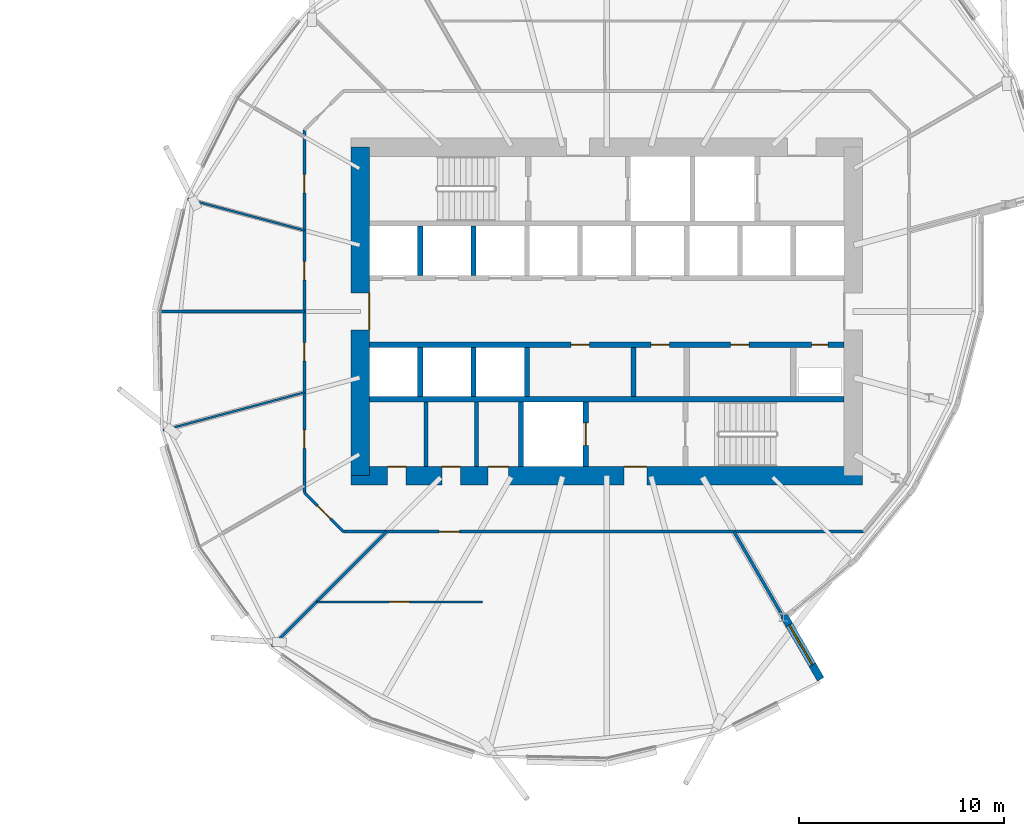
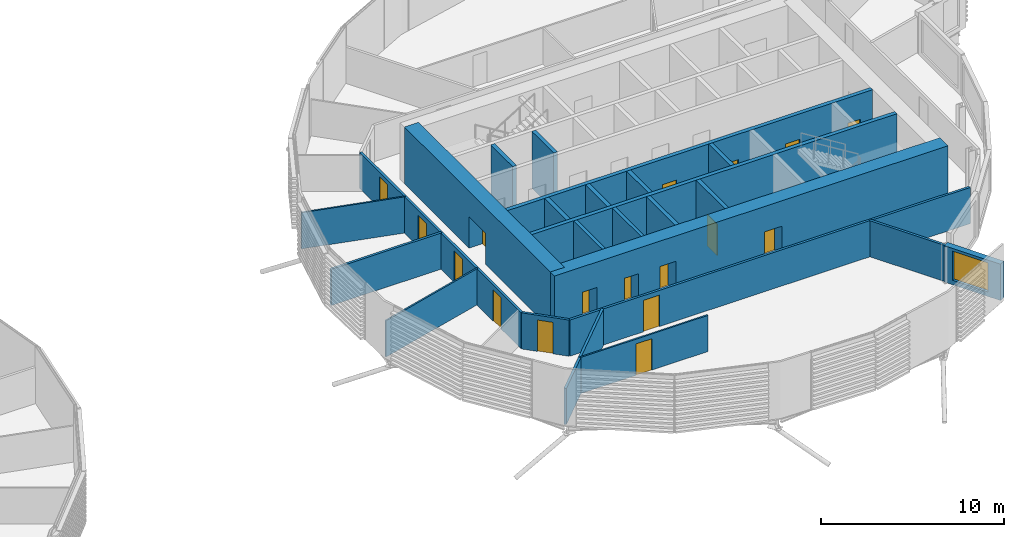
# One storey, part 24 of 37: 24 walls, 17 doors, 1 window, 18 openings.
"""IFC4 building model written with IfcOpenShell, lengths in metres."""

from ifc_helpers import new_model, si_unit, direction, frame, frame_2d, origin, place, context, subcontext, project, spatial, rectangle, extrude, material, layer, layer_set, type_object, element, fill, save


model = new_model("IFC4")

# Units and contexts
model_context = context("Model", 3, precision=1e-05, world=origin(), true_north=direction((0.0, 1.0)))
body_context = subcontext(model_context, "Body", "Model", "MODEL_VIEW")
ifc_project = project(units=[si_unit("LENGTHUNIT", "METRE"), si_unit("AREAUNIT", "SQUARE_METRE"), si_unit("VOLUMEUNIT", "CUBIC_METRE"), si_unit("PLANEANGLEUNIT", "RADIAN"), si_unit("MASSUNIT", "GRAM", prefix="KILO")], contexts=[model_context])

# Site, building, storey
site_placement = place(None, origin())
site = spatial("IfcSite", under=ifc_project, at=site_placement, CompositionType="ELEMENT")
building_placement = place(site_placement, origin())
building = spatial("IfcBuilding", under=site, at=building_placement, Name="Rimbun Link Towers", CompositionType="ELEMENT")
storey_placement = place(building_placement, frame((0.0, 0.0, 60.39990234375)))
storey = spatial("IfcBuildingStorey", under=building, at=storey_placement, Name="L14", CompositionType="ELEMENT", Elevation=60.39990234375)

# Wall, opening, window
ifc_material_1 = material(Name="Dark enamelled glass spandrel on insulated aluminium backpan", Category="aluminium")
ifc_layer_1 = layer(ifc_material_1, 0.3701171875)
ifc_layer_set_1 = layer_set([ifc_layer_1], Name="CS dark enamelled spandrel wall 370")
wall_type_1 = type_object("IfcWallType", Name="CS dark enamelled spandrel wall 370", PredefinedType="STANDARD", material=ifc_layer_set_1)
wall_1_placement = place(storey_placement, frame((40.37646484375, -14.8115234375, 0.0), z_axis=(0.0, 0.0, 1.0), x_axis=(0.500011709085, -0.866018643436, 0.0)))
wall_1 = element("IfcWall", 1, at=wall_1_placement, inside=storey, type_object=wall_type_1, Name="Crease spandrel wall", PredefinedType="STANDARD", context=body_context, shape_type="SweptSolid", body=[
    extrude(rectangle(XDim=3.580078125, YDim=0.3701171875, at=frame_2d((1.7900390625, 0.0))), origin(), (0.0, 0.0, 1.0), 2.43017578125),
])
opening_1_placement = place(wall_1_placement, frame((0.52685546875, 0.0, 0.300048828125)))
opening_1 = element("IfcOpeningElement", 2, at=opening_1_placement, cuts=wall_1, Name="Opening WR22H195", PredefinedType="OPENING", context=body_context, shape_type="SweptSolid", body=[
    extrude(rectangle(XDim=2.25, YDim=1.949951171875, at=frame_2d((1.125, 0.97509765625))), frame((0.0, 0.195068359375, 0.0), z_axis=(0.0, -1.0, 0.0), x_axis=(1.0, 0.0, 0.0)), (0.0, 0.0, 1.0), 0.39013671875),
])
ifc_material_2 = material(Name="Aluminium framed fixed window, dark tinted low-e glass", Category="aluminium")
window_type = type_object("IfcWindowType", Name="WR ribbon window 2250X1950", PartitioningType="SINGLE_PANEL", PredefinedType="WINDOW", material=ifc_material_2)
window_placement = place(opening_1_placement, origin())
window = element("IfcWindow", 3, at=window_placement, inside=storey, type_object=window_type, Name="Crease ribbon window", OverallHeight=1.949951171875, OverallWidth=2.25, PartitioningType="SINGLE_PANEL", PredefinedType="WINDOW", context=body_context, shape_type="SweptSolid", body=[
    extrude(rectangle(XDim=2.25, YDim=1.949951171875, at=frame_2d((1.125, 0.97509765625))), frame((0.0, 0.030029296875, 0.0), z_axis=(0.0, -1.0, 0.0), x_axis=(1.0, 0.0, 0.0)), (0.0, 0.0, 1.0), 0.06005859375),
])
fill(opening_1, window)

# Walls
ifc_material_3 = material(Name="Masonry blockwork", Category="masonry")
ifc_layer_2 = layer(ifc_material_3, 0.199951171875)
ifc_layer_set_2 = layer_set([ifc_layer_2], Name="Core partition 200")
wall_type_2 = type_object("IfcWallType", Name="Core partition 200", PredefinedType="PARTITIONING", material=ifc_layer_set_2)
for number, where, z_axis, x_axis, name in (
    (4, (22.949951171875, -4.39990234375, 0.0), (0.0, 0.0, 1.0), (0.0, -1.0, 0.0), "L14 T2 core wall C1"),
    (5, (25.39990234375, -4.39990234375, 0.0), (0.0, 0.0, 1.0), (0.0, -1.0, 0.0), "L14 T2 core wall C2"),
):
    element("IfcWall", number, at=place(storey_placement, frame(where, z_axis=z_axis, x_axis=x_axis)), inside=storey, type_object=wall_type_2, Name=name, PredefinedType="PARTITIONING", context=body_context, shape_type="SweptSolid", body=[
        extrude(rectangle(XDim=3.150146484375, YDim=0.199951171875, at=frame_2d((1.5751953125, 0.0))), origin(), (0.0, 0.0, 1.0), 3.800048828125),
    ])

# Wall, openings, doors
ifc_material_4 = material(Name="Concrete C60/75", Category="concrete")
ifc_layer_3 = layer(ifc_material_4, 0.89990234375)
ifc_layer_set_3 = layer_set([ifc_layer_3], Name="Core shear wall 900")
wall_type_3 = type_object("IfcWallType", Name="Core shear wall 900", PredefinedType="SHEAR", material=ifc_layer_set_3)
wall_2_placement = place(storey_placement, frame((19.300048828125, -8.0, 0.0), z_axis=(0.0, 0.0, 1.0), x_axis=(1.0, 0.0, 0.0)))
wall_2 = element("IfcWall", 6, at=wall_2_placement, inside=storey, type_object=wall_type_3, Name="L14 T2 core wall S", PredefinedType="SHEAR", context=body_context, shape_type="SweptSolid", body=[
    extrude(rectangle(XDim=24.89990234375, YDim=0.89990234375, at=frame_2d((12.449951171875, 0.0))), origin(), (0.0, 0.0, 1.0), 3.800048828125),
])
opening_2_placement = place(wall_2_placement, frame((13.300048828125, 0.0, 0.0)))
opening_2 = element("IfcOpeningElement", 7, at=opening_2_placement, cuts=wall_2, Name="Opening C2DCF01S", PredefinedType="OPENING", context=body_context, shape_type="SweptSolid", body=[
    extrude(rectangle(XDim=1.10009765625, YDim=2.10009765625, at=frame_2d((0.550048828125, 1.050048828125))), frame((0.0, 0.4599609375, 0.0), z_axis=(0.0, -1.0, 0.0), x_axis=(1.0, 0.0, 0.0)), (0.0, 0.0, 1.0), 0.919921875),
])
opening_3_placement = place(wall_2_placement, frame((1.77490234375, 0.0, 0.0)))
opening_3 = element("IfcOpeningElement", 8, at=opening_3_placement, cuts=wall_2, Name="Opening C2DWC02S", PredefinedType="OPENING", context=body_context, shape_type="SweptSolid", body=[
    extrude(rectangle(XDim=0.89990234375, YDim=2.10009765625, at=frame_2d((0.449951171875, 1.050048828125))), frame((0.0, 0.4599609375, 0.0), z_axis=(0.0, -1.0, 0.0), x_axis=(1.0, 0.0, 0.0)), (0.0, 0.0, 1.0), 0.919921875),
])
opening_4_placement = place(wall_2_placement, frame((4.425048828125, 0.0, 0.0)))
opening_4 = element("IfcOpeningElement", 9, at=opening_4_placement, cuts=wall_2, Name="Opening C2DWC03S", PredefinedType="OPENING", context=body_context, shape_type="SweptSolid", body=[
    extrude(rectangle(XDim=0.89990234375, YDim=2.10009765625, at=frame_2d((0.449951171875, 1.050048828125))), frame((0.0, 0.4599609375, 0.0), z_axis=(0.0, -1.0, 0.0), x_axis=(1.0, 0.0, 0.0)), (0.0, 0.0, 1.0), 0.919921875),
])
opening_5_placement = place(wall_2_placement, frame((6.675048828125, 0.0, 0.0)))
opening_5 = element("IfcOpeningElement", 10, at=opening_5_placement, cuts=wall_2, Name="Opening C2DAW04S", PredefinedType="OPENING", context=body_context, shape_type="SweptSolid", body=[
    extrude(rectangle(XDim=1.0, YDim=2.10009765625, at=frame_2d((0.5, 1.050048828125))), frame((0.0, 0.4599609375, 0.0), z_axis=(0.0, -1.0, 0.0), x_axis=(1.0, 0.0, 0.0)), (0.0, 0.0, 1.0), 0.919921875),
])
ifc_material_5 = material(Name="Timber", Category="wood")
door_type_1 = type_object("IfcDoorType", Name="Accessible WC door", OperationType="SINGLE_SWING_LEFT", PredefinedType="DOOR", material=ifc_material_5)
door_1_placement = place(opening_5_placement, origin())
door_1 = element("IfcDoor", 11, at=door_1_placement, inside=storey, type_object=door_type_1, Name="L14 T2 accessible wc door", OperationType="SINGLE_SWING_RIGHT", OverallHeight=2.10009765625, OverallWidth=1.0, PredefinedType="DOOR", context=body_context, shape_type="SweptSolid", body=[
    extrude(rectangle(XDim=1.0, YDim=2.10009765625, at=frame_2d((0.5, 1.050048828125))), frame((0.0, 0.4501953125, 0.0), z_axis=(0.0, -1.0, 0.0), x_axis=(1.0, 0.0, 0.0)), (0.0, 0.0, 1.0), 0.050048828125),
])
fill(opening_5, door_1)
ifc_material_6 = material(Name="Steel fire door set", Category="steel")
door_type_2 = type_object("IfcDoorType", Name="Core fire door single", OperationType="SINGLE_SWING_LEFT", PredefinedType="DOOR", material=ifc_material_6)
door_2_placement = place(opening_2_placement, origin())
door_2 = element("IfcDoor", 12, at=door_2_placement, inside=storey, type_object=door_type_2, Name="L14 T2 firefighting lobby s door", OperationType="SINGLE_SWING_RIGHT", OverallHeight=2.10009765625, OverallWidth=1.10009765625, PredefinedType="DOOR", context=body_context, shape_type="SweptSolid", body=[
    extrude(rectangle(XDim=1.10009765625, YDim=2.10009765625, at=frame_2d((0.550048828125, 1.050048828125))), frame((0.0, 0.4501953125, 0.0), z_axis=(0.0, -1.0, 0.0), x_axis=(1.0, 0.0, 0.0)), (0.0, 0.0, 1.0), 0.050048828125),
])
fill(opening_2, door_2)
ifc_material_7 = material(Name="Timber", Category="wood")
door_type_3 = type_object("IfcDoorType", Name="WC door", OperationType="SINGLE_SWING_LEFT", PredefinedType="DOOR", material=ifc_material_7)
door_3_placement = place(opening_3_placement, origin())
door_3 = element("IfcDoor", 13, at=door_3_placement, inside=storey, type_object=door_type_3, Name="L14 T2 male wc door", OperationType="SINGLE_SWING_RIGHT", OverallHeight=2.10009765625, OverallWidth=0.89990234375, PredefinedType="DOOR", context=body_context, shape_type="SweptSolid", body=[
    extrude(rectangle(XDim=0.89990234375, YDim=2.10009765625, at=frame_2d((0.449951171875, 1.050048828125))), frame((0.0, 0.4501953125, 0.0), z_axis=(0.0, -1.0, 0.0), x_axis=(1.0, 0.0, 0.0)), (0.0, 0.0, 1.0), 0.050048828125),
])
fill(opening_3, door_3)
door_4_placement = place(opening_4_placement, origin())
door_4 = element("IfcDoor", 14, at=door_4_placement, inside=storey, type_object=door_type_3, Name="L14 T2 female wc door", OperationType="SINGLE_SWING_RIGHT", OverallHeight=2.10009765625, OverallWidth=0.89990234375, PredefinedType="DOOR", context=body_context, shape_type="SweptSolid", body=[
    extrude(rectangle(XDim=0.89990234375, YDim=2.10009765625, at=frame_2d((0.449951171875, 1.050048828125))), frame((0.0, 0.4501953125, 0.0), z_axis=(0.0, -1.0, 0.0), x_axis=(1.0, 0.0, 0.0)), (0.0, 0.0, 1.0), 0.050048828125),
])
fill(opening_4, door_4)

# Wall, opening, door
wall_3_placement = place(storey_placement, frame((19.75, -8.0, 0.0), z_axis=(0.0, 0.0, 1.0), x_axis=(0.0, 1.0, 0.0)))
wall_3 = element("IfcWall", 15, at=wall_3_placement, inside=storey, type_object=wall_type_3, Name="L14 T2 core wall W", PredefinedType="SHEAR", context=body_context, shape_type="SweptSolid", body=[
    extrude(rectangle(XDim=16.0, YDim=0.89990234375, at=frame_2d((8.0, 0.0))), origin(), (0.0, 0.0, 1.0), 3.800048828125),
])
opening_6_placement = place(wall_3_placement, frame((7.10009765625, 0.0, 0.0)))
opening_6 = element("IfcOpeningElement", 16, at=opening_6_placement, cuts=wall_3, Name="Opening C2DCL01W", PredefinedType="OPENING", context=body_context, shape_type="SweptSolid", body=[
    extrude(rectangle(XDim=1.800048828125, YDim=2.10009765625, at=frame_2d((0.89990234375, 1.050048828125))), frame((0.0, 0.4599609375, 0.0), z_axis=(0.0, -1.0, 0.0), x_axis=(1.0, 0.0, 0.0)), (0.0, 0.0, 1.0), 0.919921875),
])
ifc_material_8 = material(Name="Steel fire door set", Category="steel")
door_type_4 = type_object("IfcDoorType", Name="Core lobby door double", OperationType="DOUBLE_DOOR_SINGLE_SWING", PredefinedType="DOOR", material=ifc_material_8)
door_5_placement = place(opening_6_placement, origin())
door_5 = element("IfcDoor", 17, at=door_5_placement, inside=storey, type_object=door_type_4, Name="L14 T2 lift lobby door", OperationType="DOUBLE_DOOR_SINGLE_SWING", OverallHeight=2.10009765625, OverallWidth=1.800048828125, PredefinedType="DOOR", context=body_context, shape_type="SweptSolid", body=[
    extrude(rectangle(XDim=1.800048828125, YDim=2.10009765625, at=frame_2d((0.89990234375, 1.050048828125))), frame((0.0, -0.39990234375, 0.0), z_axis=(0.0, -1.0, 0.0), x_axis=(1.0, 0.0, 0.0)), (0.0, 0.0, 1.0), 0.050048828125),
])
fill(opening_6, door_5)

ifc_material_9 = material(Name="Plasterboard on steel stud, mineral wool", Category="steel")
ifc_layer_4 = layer(ifc_material_9, 0.14990234375)
ifc_layer_set_4 = layer_set([ifc_layer_4], Name="Corridor wall EI 30 150 mm")
wall_type_4 = type_object("IfcWallType", Name="Corridor wall EI 30 150 mm", PredefinedType="PARTITIONING", material=ifc_layer_set_4)
wall_4_placement = place(storey_placement, frame((44.248779296875, -10.72509765625, 0.0), z_axis=(0.0, 0.0, 1.0), x_axis=(-1.0, 0.0, 0.0)))
wall_4 = element("IfcWall", 18, at=wall_4_placement, inside=storey, type_object=wall_type_4, Name="Corridor wall EI 30 150 mm", PredefinedType="PARTITIONING", context=body_context, shape_type="SweptSolid", body=[
    extrude(rectangle(XDim=25.325439453125, YDim=0.14990234375, at=frame_2d((12.66259765625, 0.0))), origin(), (0.0, 0.0, 1.0), 2.420166015625),
])
opening_7_placement = place(wall_4_placement, frame((19.66845703125, 0.0, 0.0)))
opening_7 = element("IfcOpeningElement", 19, at=opening_7_placement, cuts=wall_4, Name="Opening D01", PredefinedType="OPENING", context=body_context, shape_type="SweptSolid", body=[
    extrude(rectangle(XDim=1.0, YDim=2.10009765625, at=frame_2d((0.5, 1.050048828125))), frame((0.0, 0.0849609375, 0.0), z_axis=(0.0, -1.0, 0.0), x_axis=(1.0, 0.0, 0.0)), (0.0, 0.0, 1.0), 0.169921875),
])
ifc_material_10 = material(Name="Fire-resisting timber door leaf", Category="wood")
door_type_5 = type_object("IfcDoorType", Name="Fire door FD30S 1000", OperationType="NOTDEFINED", PredefinedType="DOOR", material=ifc_material_10)
door_6_placement = place(opening_7_placement, origin())
door_6 = element("IfcDoor", 20, at=door_6_placement, inside=storey, type_object=door_type_5, Name="Fire door FD30S 1000 to Reception", OperationType="SINGLE_SWING_RIGHT", OverallHeight=2.10009765625, OverallWidth=1.0, PredefinedType="DOOR", context=body_context, shape_type="SweptSolid", body=[
    extrude(rectangle(XDim=1.0, YDim=2.10009765625, at=frame_2d((0.5, 1.050048828125))), frame((0.0, 0.02490234375, 0.0), z_axis=(0.0, -1.0, 0.0), x_axis=(1.0, 0.0, 0.0)), (0.0, 0.0, 1.0), 0.050048828125),
])
fill(opening_7, door_6)

wall_5_placement = place(storey_placement, frame((18.92333984375, -10.72509765625, 0.0), z_axis=(0.0, 0.0, 1.0), x_axis=(-0.707106781187, 0.707106781187, 0.0)))
wall_5 = element("IfcWall", 21, at=wall_5_placement, inside=storey, type_object=wall_type_4, Name="Corridor wall EI 30 150 mm", PredefinedType="PARTITIONING", context=body_context, shape_type="SweptSolid", body=[
    extrude(rectangle(XDim=2.684814453125, YDim=0.14990234375, at=frame_2d((1.34228515625, 0.0))), origin(), (0.0, 0.0, 1.0), 2.420166015625),
])
opening_8_placement = place(wall_5_placement, frame((0.892333984375, 0.0, 0.0)))
opening_8 = element("IfcOpeningElement", 22, at=opening_8_placement, cuts=wall_5, Name="Opening D02", PredefinedType="OPENING", context=body_context, shape_type="SweptSolid", body=[
    extrude(rectangle(XDim=0.89990234375, YDim=2.10009765625, at=frame_2d((0.449951171875, 1.050048828125))), frame((0.0, 0.0849609375, 0.0), z_axis=(0.0, -1.0, 0.0), x_axis=(1.0, 0.0, 0.0)), (0.0, 0.0, 1.0), 0.169921875),
])
ifc_material_11 = material(Name="Fire-resisting timber door leaf", Category="wood")
door_type_6 = type_object("IfcDoorType", Name="Fire door FD30S 900", OperationType="NOTDEFINED", PredefinedType="DOOR", material=ifc_material_11)
door_7_placement = place(opening_8_placement, origin())
door_7 = element("IfcDoor", 23, at=door_7_placement, inside=storey, type_object=door_type_6, Name="Fire door FD30S 900 to Meeting room", OperationType="SINGLE_SWING_LEFT", OverallHeight=2.10009765625, OverallWidth=0.89990234375, PredefinedType="DOOR", context=body_context, shape_type="SweptSolid", body=[
    extrude(rectangle(XDim=0.89990234375, YDim=2.10009765625, at=frame_2d((0.449951171875, 1.050048828125))), frame((0.0, 0.02490234375, 0.0), z_axis=(0.0, -1.0, 0.0), x_axis=(1.0, 0.0, 0.0)), (0.0, 0.0, 1.0), 0.050048828125),
])
fill(opening_8, door_7)

# Wall, openings, doors
wall_6_placement = place(storey_placement, frame((17.02490234375, -8.82666015625, 0.0), z_axis=(0.0, 0.0, 1.0), x_axis=(0.0, 1.0, 0.0)))
wall_6 = element("IfcWall", 24, at=wall_6_placement, inside=storey, type_object=wall_type_4, Name="Corridor wall EI 30 150 mm", PredefinedType="PARTITIONING", context=body_context, shape_type="SweptSolid", body=[
    extrude(rectangle(XDim=17.6533203125, YDim=0.14990234375, at=frame_2d((8.82666015625, 0.0))), origin(), (0.0, 0.0, 1.0), 2.420166015625),
])
opening_9_placement = place(wall_6_placement, frame((14.60009765625, 0.0, 0.0)))
opening_9 = element("IfcOpeningElement", 25, at=opening_9_placement, cuts=wall_6, Name="Opening D02", PredefinedType="OPENING", context=body_context, shape_type="SweptSolid", body=[
    extrude(rectangle(XDim=0.89990234375, YDim=2.10009765625, at=frame_2d((0.449951171875, 1.050048828125))), frame((0.0, 0.0849609375, 0.0), z_axis=(0.0, -1.0, 0.0), x_axis=(1.0, 0.0, 0.0)), (0.0, 0.0, 1.0), 0.169921875),
])
opening_10_placement = place(wall_6_placement, frame((10.349609375, 0.0, 0.0)))
opening_10 = element("IfcOpeningElement", 26, at=opening_10_placement, cuts=wall_6, Name="Opening D02", PredefinedType="OPENING", context=body_context, shape_type="SweptSolid", body=[
    extrude(rectangle(XDim=0.89990234375, YDim=2.10009765625, at=frame_2d((0.449951171875, 1.050048828125))), frame((0.0, 0.0849609375, 0.0), z_axis=(0.0, -1.0, 0.0), x_axis=(1.0, 0.0, 0.0)), (0.0, 0.0, 1.0), 0.169921875),
])
opening_11_placement = place(wall_6_placement, frame((6.40380859375, 0.0, 0.0)))
opening_11 = element("IfcOpeningElement", 27, at=opening_11_placement, cuts=wall_6, Name="Opening D02", PredefinedType="OPENING", context=body_context, shape_type="SweptSolid", body=[
    extrude(rectangle(XDim=0.89990234375, YDim=2.10009765625, at=frame_2d((0.449951171875, 1.050048828125))), frame((0.0, 0.0849609375, 0.0), z_axis=(0.0, -1.0, 0.0), x_axis=(1.0, 0.0, 0.0)), (0.0, 0.0, 1.0), 0.169921875),
])
opening_12_placement = place(wall_6_placement, frame((2.1533203125, 0.0, 0.0)))
opening_12 = element("IfcOpeningElement", 28, at=opening_12_placement, cuts=wall_6, Name="Opening D02", PredefinedType="OPENING", context=body_context, shape_type="SweptSolid", body=[
    extrude(rectangle(XDim=0.89990234375, YDim=2.10009765625, at=frame_2d((0.449951171875, 1.050048828125))), frame((0.0, 0.0849609375, 0.0), z_axis=(0.0, -1.0, 0.0), x_axis=(1.0, 0.0, 0.0)), (0.0, 0.0, 1.0), 0.169921875),
])
door_8_placement = place(opening_9_placement, origin())
door_8 = element("IfcDoor", 29, at=door_8_placement, inside=storey, type_object=door_type_6, Name="Fire door FD30S 900 to Cellular office", OperationType="SINGLE_SWING_LEFT", OverallHeight=2.10009765625, OverallWidth=0.89990234375, PredefinedType="DOOR", context=body_context, shape_type="SweptSolid", body=[
    extrude(rectangle(XDim=0.89990234375, YDim=2.10009765625, at=frame_2d((0.449951171875, 1.050048828125))), frame((0.0, 0.02490234375, 0.0), z_axis=(0.0, -1.0, 0.0), x_axis=(1.0, 0.0, 0.0)), (0.0, 0.0, 1.0), 0.050048828125),
])
fill(opening_9, door_8)
door_9_placement = place(opening_10_placement, origin())
door_9 = element("IfcDoor", 30, at=door_9_placement, inside=storey, type_object=door_type_6, Name="Fire door FD30S 900 to Meeting room", OperationType="SINGLE_SWING_RIGHT", OverallHeight=2.10009765625, OverallWidth=0.89990234375, PredefinedType="DOOR", context=body_context, shape_type="SweptSolid", body=[
    extrude(rectangle(XDim=0.89990234375, YDim=2.10009765625, at=frame_2d((0.449951171875, 1.050048828125))), frame((0.0, 0.02490234375, 0.0), z_axis=(0.0, -1.0, 0.0), x_axis=(1.0, 0.0, 0.0)), (0.0, 0.0, 1.0), 0.050048828125),
])
fill(opening_10, door_9)
door_10_placement = place(opening_11_placement, origin())
door_10 = element("IfcDoor", 31, at=door_10_placement, inside=storey, type_object=door_type_6, Name="Fire door FD30S 900 to Cellular office", OperationType="SINGLE_SWING_LEFT", OverallHeight=2.10009765625, OverallWidth=0.89990234375, PredefinedType="DOOR", context=body_context, shape_type="SweptSolid", body=[
    extrude(rectangle(XDim=0.89990234375, YDim=2.10009765625, at=frame_2d((0.449951171875, 1.050048828125))), frame((0.0, 0.02490234375, 0.0), z_axis=(0.0, -1.0, 0.0), x_axis=(1.0, 0.0, 0.0)), (0.0, 0.0, 1.0), 0.050048828125),
])
fill(opening_11, door_10)
door_11_placement = place(opening_12_placement, origin())
door_11 = element("IfcDoor", 32, at=door_11_placement, inside=storey, type_object=door_type_6, Name="Fire door FD30S 900 to Meeting room", OperationType="SINGLE_SWING_RIGHT", OverallHeight=2.10009765625, OverallWidth=0.89990234375, PredefinedType="DOOR", context=body_context, shape_type="SweptSolid", body=[
    extrude(rectangle(XDim=0.89990234375, YDim=2.10009765625, at=frame_2d((0.449951171875, 1.050048828125))), frame((0.0, 0.02490234375, 0.0), z_axis=(0.0, -1.0, 0.0), x_axis=(1.0, 0.0, 0.0)), (0.0, 0.0, 1.0), 0.050048828125),
])
fill(opening_12, door_11)

# Walls
ifc_material_12 = material(Name="Plasterboard on steel stud", Category="steel")
ifc_layer_5 = layer(ifc_material_12, 0.10009765625)
ifc_layer_set_5 = layer_set([ifc_layer_5], Name="Plasterboard partition 100 mm")
wall_type_5 = type_object("IfcWallType", Name="Plasterboard partition 100 mm", PredefinedType="PARTITIONING", material=ifc_layer_set_5)
wall_7_placement = place(storey_placement, frame((11.328369140625, 5.471923828125, 0.0), z_axis=(0.0, 0.0, 1.0), x_axis=(0.965926431796, -0.258816785308, 0.0)))
element("IfcWall", 33, at=wall_7_placement, inside=storey, type_object=wall_type_5, Name="Plasterboard partition 100 mm", PredefinedType="PARTITIONING", context=body_context, shape_type="SweptSolid", body=[
    extrude(rectangle(XDim=5.8974609375, YDim=0.10009765625, at=frame_2d((2.94873046875, 0.0))), origin(), (0.0, 0.0, 1.0), 2.420166015625),
])
wall_8_placement = place(storey_placement, frame((10.1416015625, -5.789794921875, 0.0), z_axis=(0.0, 0.0, 1.0), x_axis=(0.965930618531, 0.258801159551, 0.0)))
element("IfcWall", 34, at=wall_8_placement, inside=storey, type_object=wall_type_5, Name="Plasterboard partition 100 mm", PredefinedType="PARTITIONING", context=body_context, shape_type="SweptSolid", body=[
    extrude(rectangle(XDim=7.1259765625, YDim=0.10009765625, at=frame_2d((3.56298828125, 0.0))), origin(), (0.0, 0.0, 1.0), 2.420166015625),
])

# Wall, opening, door
wall_9_placement = place(storey_placement, frame((25.697021484375, -14.14501953125, 0.0), z_axis=(0.0, 0.0, 1.0), x_axis=(-1.0, 0.0, 0.0)))
wall_9 = element("IfcWall", 35, at=wall_9_placement, inside=storey, type_object=wall_type_5, Name="Plasterboard partition 100 mm", PredefinedType="PARTITIONING", context=body_context, shape_type="SweptSolid", body=[
    extrude(rectangle(XDim=8.092041015625, YDim=0.10009765625, at=frame_2d((4.0458984375, 0.0))), origin(), (0.0, 0.0, 1.0), 2.420166015625),
])
opening_13_placement = place(wall_9_placement, frame((3.5458984375, 0.0, 0.0)))
opening_13 = element("IfcOpeningElement", 36, at=opening_13_placement, cuts=wall_9, Name="Opening D03", PredefinedType="OPENING", context=body_context, shape_type="SweptSolid", body=[
    extrude(rectangle(XDim=1.0, YDim=2.10009765625, at=frame_2d((0.5, 1.050048828125))), frame((0.0, 0.06005859375, 0.0), z_axis=(0.0, -1.0, 0.0), x_axis=(1.0, 0.0, 0.0)), (0.0, 0.0, 1.0), 0.1201171875),
])
ifc_material_13 = material(Name="Timber door leaf", Category="wood")
door_type_7 = type_object("IfcDoorType", Name="Flush door 1000", OperationType="NOTDEFINED", PredefinedType="DOOR", material=ifc_material_13)
door_12_placement = place(opening_13_placement, origin())
door_12 = element("IfcDoor", 37, at=door_12_placement, inside=storey, type_object=door_type_7, Name="Flush door 1000 to Open office", OperationType="SINGLE_SWING_RIGHT", OverallHeight=2.10009765625, OverallWidth=1.0, PredefinedType="DOOR", context=body_context, shape_type="SweptSolid", body=[
    extrude(rectangle(XDim=1.0, YDim=2.10009765625, at=frame_2d((0.5, 1.050048828125))), frame((0.0, 0.02490234375, 0.0), z_axis=(0.0, -1.0, 0.0), x_axis=(1.0, 0.0, 0.0)), (0.0, 0.0, 1.0), 0.050048828125),
])
fill(opening_13, door_12)

# Wall
ifc_material_14 = material(Name="Concrete C60/75", Category="concrete")
ifc_layer_6 = layer(ifc_material_14, 0.25)
ifc_layer_set_6 = layer_set([ifc_layer_6], Name="Shaft wall 250")
wall_type_6 = type_object("IfcWallType", Name="Shaft wall 250", PredefinedType="SHEAR", material=ifc_layer_set_6)
wall_10_placement = place(storey_placement, frame((20.199951171875, -4.27490234375, 0.0), z_axis=(0.0, 0.0, 1.0), x_axis=(1.0, 0.0, 0.0)))
element("IfcWall", 38, at=wall_10_placement, inside=storey, type_object=wall_type_6, Name="L14 T2 core wall BS", PredefinedType="SHEAR", context=body_context, shape_type="SweptSolid", body=[
    extrude(rectangle(XDim=23.10009765625, YDim=0.25, at=frame_2d((11.550048828125, 0.0))), origin(), (0.0, 0.0, 1.0), 3.800048828125),
])

# Wall, openings, doors
wall_11_placement = place(storey_placement, frame((20.199951171875, -1.625, 0.0), z_axis=(0.0, 0.0, 1.0), x_axis=(1.0, 0.0, 0.0)))
wall_11 = element("IfcWall", 39, at=wall_11_placement, inside=storey, type_object=wall_type_6, Name="L14 T2 core wall FS", PredefinedType="SHEAR", context=body_context, shape_type="SweptSolid", body=[
    extrude(rectangle(XDim=23.10009765625, YDim=0.25, at=frame_2d((11.550048828125, 0.0))), origin(), (0.0, 0.0, 1.0), 3.800048828125),
])
opening_14_placement = place(wall_11_placement, frame((9.802734375, 0.0, 0.0)))
opening_14 = element("IfcOpeningElement", 40, at=opening_14_placement, cuts=wall_11, Name="Opening C2DRS01FS", PredefinedType="OPENING", context=body_context, shape_type="SweptSolid", body=[
    extrude(rectangle(XDim=0.89990234375, YDim=2.10009765625, at=frame_2d((0.449951171875, 1.050048828125))), frame((0.0, 0.135009765625, 0.0), z_axis=(0.0, -1.0, 0.0), x_axis=(1.0, 0.0, 0.0)), (0.0, 0.0, 1.0), 0.27001953125),
])
opening_15_placement = place(wall_11_placement, frame((13.6943359375, 0.0, 0.0)))
opening_15 = element("IfcOpeningElement", 41, at=opening_15_placement, cuts=wall_11, Name="Opening C2DRS02FS", PredefinedType="OPENING", context=body_context, shape_type="SweptSolid", body=[
    extrude(rectangle(XDim=0.89990234375, YDim=2.10009765625, at=frame_2d((0.449951171875, 1.050048828125))), frame((0.0, 0.135009765625, 0.0), z_axis=(0.0, -1.0, 0.0), x_axis=(1.0, 0.0, 0.0)), (0.0, 0.0, 1.0), 0.27001953125),
])
opening_16_placement = place(wall_11_placement, frame((17.586181640625, 0.0, 0.0)))
opening_16 = element("IfcOpeningElement", 42, at=opening_16_placement, cuts=wall_11, Name="Opening C2DRS03FS", PredefinedType="OPENING", context=body_context, shape_type="SweptSolid", body=[
    extrude(rectangle(XDim=0.89990234375, YDim=2.10009765625, at=frame_2d((0.449951171875, 1.050048828125))), frame((0.0, 0.135009765625, 0.0), z_axis=(0.0, -1.0, 0.0), x_axis=(1.0, 0.0, 0.0)), (0.0, 0.0, 1.0), 0.27001953125),
])
opening_17_placement = place(wall_11_placement, frame((21.52783203125, 0.0, 0.0)))
opening_17 = element("IfcOpeningElement", 43, at=opening_17_placement, cuts=wall_11, Name="Opening C2DRA04FS", PredefinedType="OPENING", context=body_context, shape_type="SweptSolid", body=[
    extrude(rectangle(XDim=0.800048828125, YDim=2.10009765625, at=frame_2d((0.39990234375, 1.050048828125))), frame((0.0, 0.135009765625, 0.0), z_axis=(0.0, -1.0, 0.0), x_axis=(1.0, 0.0, 0.0)), (0.0, 0.0, 1.0), 0.27001953125),
])
ifc_material_15 = material(Name="Steel fire door set", Category="steel")
door_type_8 = type_object("IfcDoorType", Name="Core riser door", OperationType="SINGLE_SWING_LEFT", PredefinedType="DOOR", material=ifc_material_15)
door_13_placement = place(opening_14_placement, origin())
door_13 = element("IfcDoor", 44, at=door_13_placement, inside=storey, type_object=door_type_8, Name="L14 T2 mail room door", OperationType="SINGLE_SWING_LEFT", OverallHeight=2.10009765625, OverallWidth=0.89990234375, PredefinedType="DOOR", context=body_context, shape_type="SweptSolid", body=[
    extrude(rectangle(XDim=0.89990234375, YDim=2.10009765625, at=frame_2d((0.449951171875, 1.050048828125))), frame((0.0, 0.02490234375, 0.0), z_axis=(0.0, -1.0, 0.0), x_axis=(1.0, 0.0, 0.0)), (0.0, 0.0, 1.0), 0.050048828125),
])
fill(opening_14, door_13)
door_14_placement = place(opening_15_placement, origin())
door_14 = element("IfcDoor", 45, at=door_14_placement, inside=storey, type_object=door_type_8, Name="L14 T2 it cupboard door", OperationType="SINGLE_SWING_LEFT", OverallHeight=2.10009765625, OverallWidth=0.89990234375, PredefinedType="DOOR", context=body_context, shape_type="SweptSolid", body=[
    extrude(rectangle(XDim=0.89990234375, YDim=2.10009765625, at=frame_2d((0.449951171875, 1.050048828125))), frame((0.0, 0.02490234375, 0.0), z_axis=(0.0, -1.0, 0.0), x_axis=(1.0, 0.0, 0.0)), (0.0, 0.0, 1.0), 0.050048828125),
])
fill(opening_15, door_14)
door_15_placement = place(opening_16_placement, origin())
door_15 = element("IfcDoor", 46, at=door_15_placement, inside=storey, type_object=door_type_8, Name="L14 T2 pantry door", OperationType="SINGLE_SWING_RIGHT", OverallHeight=2.10009765625, OverallWidth=0.89990234375, PredefinedType="DOOR", context=body_context, shape_type="SweptSolid", body=[
    extrude(rectangle(XDim=0.89990234375, YDim=2.10009765625, at=frame_2d((0.449951171875, 1.050048828125))), frame((0.0, 0.02490234375, 0.0), z_axis=(0.0, -1.0, 0.0), x_axis=(1.0, 0.0, 0.0)), (0.0, 0.0, 1.0), 0.050048828125),
])
fill(opening_16, door_15)
ifc_material_16 = material(Name="Steel fire door set", Category="steel")
door_type_9 = type_object("IfcDoorType", Name="Riser access door 800 x 2100", OperationType="SINGLE_SWING_LEFT", PredefinedType="DOOR", material=ifc_material_16)
door_16_placement = place(opening_17_placement, origin())
door_16 = element("IfcDoor", 47, at=door_16_placement, inside=storey, type_object=door_type_9, Name="L14 T2 riser cupboard door", OperationType="SINGLE_SWING_LEFT", OverallHeight=2.10009765625, OverallWidth=0.800048828125, PredefinedType="DOOR", context=body_context, shape_type="SweptSolid", body=[
    extrude(rectangle(XDim=0.800048828125, YDim=2.10009765625, at=frame_2d((0.39990234375, 1.050048828125))), frame((0.0, 0.02490234375, 0.0), z_axis=(0.0, -1.0, 0.0), x_axis=(1.0, 0.0, 0.0)), (0.0, 0.0, 1.0), 0.050048828125),
])
fill(opening_17, door_16)

# Walls
for number, where, z_axis, x_axis, name in (
    (48, (22.66943359375, 1.75, 0.0), (0.0, 0.0, 1.0), (0.0, 1.0, 0.0), "L14 T2 core wall DN0"),
    (49, (25.263916015625, 1.75, 0.0), (0.0, 0.0, 1.0), (0.0, 1.0, 0.0), "L14 T2 core wall DN1"),
    (50, (22.66943359375, -4.14990234375, 0.0), (0.0, 0.0, 1.0), (0.0, 1.0, 0.0), "L14 T2 core wall DS0"),
    (51, (25.263916015625, -4.14990234375, 0.0), (0.0, 0.0, 1.0), (0.0, 1.0, 0.0), "L14 T2 core wall DS1"),
    (52, (27.8583984375, -4.14990234375, 0.0), (0.0, 0.0, 1.0), (0.0, 1.0, 0.0), "L14 T2 core wall DS2"),
    (53, (33.047119140625, -4.14990234375, 0.0), (0.0, 0.0, 1.0), (0.0, 1.0, 0.0), "L14 T2 core wall DS4"),
):
    element("IfcWall", number, at=place(storey_placement, frame(where, z_axis=z_axis, x_axis=x_axis)), inside=storey, type_object=wall_type_6, Name=name, PredefinedType="SHEAR", context=body_context, shape_type="SweptSolid", body=[
        extrude(rectangle(XDim=2.39990234375, YDim=0.25, at=frame_2d((1.199951171875, 0.0))), origin(), (0.0, 0.0, 1.0), 3.800048828125),
    ])

# Wall, opening, door
wall_12_placement = place(storey_placement, frame((30.72509765625, -4.39990234375, 0.0), z_axis=(0.0, 0.0, 1.0), x_axis=(0.0, -1.0, 0.0)))
wall_12 = element("IfcWall", 54, at=wall_12_placement, inside=storey, type_object=wall_type_6, Name="L14 T2 core wall B2", PredefinedType="SHEAR", context=body_context, shape_type="SweptSolid", body=[
    extrude(rectangle(XDim=3.150146484375, YDim=0.25, at=frame_2d((1.5751953125, 0.0))), origin(), (0.0, 0.0, 1.0), 3.800048828125),
])
opening_18_placement = place(wall_12_placement, frame((1.02490234375, 0.0, 0.0)))
opening_18 = element("IfcOpeningElement", 55, at=opening_18_placement, cuts=wall_12, Name="Opening LD-T2-FF2", PredefinedType="OPENING", context=body_context, shape_type="SweptSolid", body=[
    extrude(rectangle(XDim=1.10009765625, YDim=2.10009765625, at=frame_2d((0.550048828125, 1.050048828125))), frame((0.0, 0.135009765625, 0.0), z_axis=(0.0, -1.0, 0.0), x_axis=(1.0, 0.0, 0.0)), (0.0, 0.0, 1.0), 0.27001953125),
])
ifc_material_17 = material(Name="Stainless steel grade 316", Category="steel")
door_type_10 = type_object("IfcDoorType", Name="Lift landing door", OperationType="DOUBLE_DOOR_SLIDING", PredefinedType="DOOR", material=ifc_material_17)
door_17_placement = place(opening_18_placement, origin())
door_17 = element("IfcDoor", 56, at=door_17_placement, inside=storey, type_object=door_type_10, Name="L14 T2 lift FF2 landing door", OperationType="DOUBLE_DOOR_SLIDING", OverallHeight=2.10009765625, OverallWidth=1.10009765625, PredefinedType="DOOR", context=body_context, shape_type="SweptSolid", body=[
    extrude(rectangle(XDim=1.10009765625, YDim=2.10009765625, at=frame_2d((0.550048828125, 1.050048828125))), frame((0.0, 0.02490234375, 0.0), z_axis=(0.0, -1.0, 0.0), x_axis=(1.0, 0.0, 0.0)), (0.0, 0.0, 1.0), 0.050048828125),
])
fill(opening_18, door_17)

# Walls
wall_13_placement = place(storey_placement, frame((27.574951171875, -4.39990234375, 0.0), z_axis=(0.0, 0.0, 1.0), x_axis=(0.0, -1.0, 0.0)))
element("IfcWall", 57, at=wall_13_placement, inside=storey, type_object=wall_type_6, Name="L14 T2 core wall B3", PredefinedType="SHEAR", context=body_context, shape_type="SweptSolid", body=[
    extrude(rectangle(XDim=3.150146484375, YDim=0.25, at=frame_2d((1.5751953125, 0.0))), origin(), (0.0, 0.0, 1.0), 3.800048828125),
])
ifc_material_18 = material(Name="Plasterboard on steel stud, mineral wool", Category="steel")
ifc_layer_7 = layer(ifc_material_18, 0.14990234375)
ifc_layer_set_7 = layer_set([ifc_layer_7], Name="Tenancy separation wall EI 60 150 mm")
wall_type_7 = type_object("IfcWallType", Name="Tenancy separation wall EI 60 150 mm", PredefinedType="PARTITIONING", material=ifc_layer_set_7)
wall_14_placement = place(storey_placement, frame((17.02490234375, 0.0, 0.0), z_axis=(0.0, 0.0, 1.0), x_axis=(-1.0, 0.0, 0.0)))
element("IfcWall", 58, at=wall_14_placement, inside=storey, type_object=wall_type_7, Name="Tenancy separation wall EI 60 150 mm", PredefinedType="PARTITIONING", context=body_context, shape_type="SweptSolid", body=[
    extrude(rectangle(XDim=7.005126953125, YDim=0.14990234375, at=frame_2d((3.50244140625, 0.0))), origin(), (0.0, 0.0, 1.0), 2.420166015625),
])
wall_15_placement = place(storey_placement, frame((21.02490234375, -10.72509765625, 0.0), z_axis=(0.0, 0.0, 1.0), x_axis=(-0.707106781187, -0.707106781187, 0.0)))
element("IfcWall", 59, at=wall_15_placement, inside=storey, type_object=wall_type_7, Name="Tenancy separation wall EI 60 150 mm", PredefinedType="PARTITIONING", context=body_context, shape_type="SweptSolid", body=[
    extrude(rectangle(XDim=7.903564453125, YDim=0.14990234375, at=frame_2d((3.95166015625, 0.0))), origin(), (0.0, 0.0, 1.0), 2.420166015625),
])
wall_16_placement = place(storey_placement, frame((37.942138671875, -10.72509765625, 0.0), z_axis=(0.0, 0.0, 1.0), x_axis=(0.500020158073, -0.866013765203, 0.0)))
element("IfcWall", 60, at=wall_16_placement, inside=storey, type_object=wall_type_7, Name="Tenancy separation wall EI 60 150 mm", PredefinedType="PARTITIONING", context=body_context, shape_type="SweptSolid", body=[
    extrude(rectangle(XDim=4.756103515625, YDim=0.14990234375, at=frame_2d((2.3779296875, 0.0))), origin(), (0.0, 0.0, 1.0), 2.420166015625),
])

save(model, "model.ifc")
